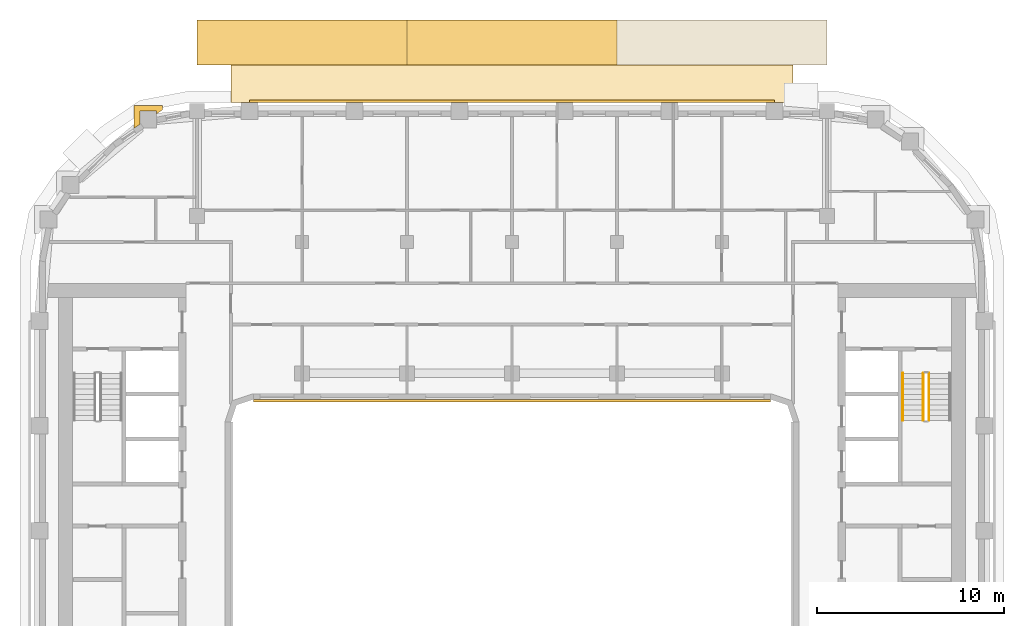
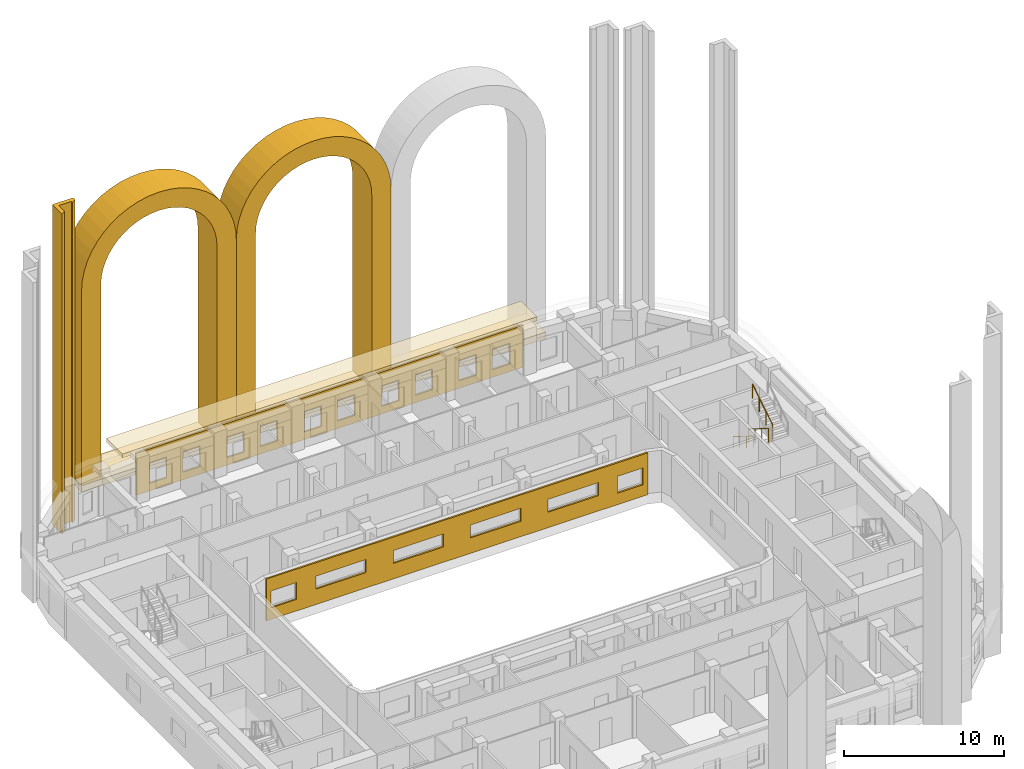
# One storey, part 19 of 20: 7 coverings, 3 railings.
"""IFC4 building model written with IfcOpenShell, lengths in metres."""

from ifc_helpers import new_model, si_unit, direction, frame, origin, origin_2d, place, context, subcontext, project, spatial, polyline, circle, outline, extrude, material, layer, layer_set, type_object, element, save


model = new_model("IFC4")

# Units and contexts
model_context = context("Model", 3, precision=1e-05, world=origin(), true_north=direction((0.0, 1.0)))
body_context = subcontext(model_context, "Body", "Model", "MODEL_VIEW")
ifc_project = project(units=[si_unit("LENGTHUNIT", "METRE"), si_unit("AREAUNIT", "SQUARE_METRE"), si_unit("VOLUMEUNIT", "CUBIC_METRE"), si_unit("PLANEANGLEUNIT", "RADIAN"), si_unit("MASSUNIT", "GRAM", prefix="KILO")], contexts=[model_context])

# Site, building, storey
site_placement = place(None, origin())
site = spatial("IfcSite", under=ifc_project, at=site_placement, CompositionType="ELEMENT")
building_placement = place(site_placement, origin())
building = spatial("IfcBuilding", under=site, at=building_placement, Name="Kiln Ring Residences", CompositionType="ELEMENT")
storey_placement = place(building_placement, frame((0.0, 0.0, 188.89990234375)))
storey = spatial("IfcBuildingStorey", under=building, at=storey_placement, Name="L48", CompositionType="ELEMENT", Elevation=188.89990234375)

# Coverings
ifc_material_1 = material(Name="Brick masonry, dark clay brick", Category="masonry")
ifc_layer_1 = layer(ifc_material_1, 0.5)
ifc_layer_set_1 = layer_set([ifc_layer_1], Name="ARCADE PLINTH 500")
covering_type_1 = type_object("IfcCoveringType", Name="ARCADE PLINTH 500", PredefinedType="CLADDING", material=ifc_layer_set_1)
placement = place(storey_placement, origin())
element("IfcCovering", 1, at=placement, inside=storey, type_object=covering_type_1, Name="ARCADE PLINTH Z4 N", PredefinedType="CLADDING", context=body_context, shape_type="SweptSolid", body=[
    extrude(outline(polyline([(-16.800048828125, 24.85009765625), (16.800048828125, 24.85009765625), (16.800048828125, 27.25), (-16.800048828125, 27.25), (-16.800048828125, 24.85009765625)])), origin(), (0.0, 0.0, 1.0), 0.5),
])
ifc_material_2 = material(Name="Brick masonry, dark clay brick", Category="masonry")
ifc_layer_2 = layer(ifc_material_2, 1.39990234375)
ifc_layer_set_2 = layer_set([ifc_layer_2], Name="ARCH SURROUND 2400")
covering_type_2 = type_object("IfcCoveringType", Name="ARCH SURROUND 2400", PredefinedType="CLADDING", material=ifc_layer_set_2)
covering_2_placement = place(storey_placement, frame((-16.800048828125, 26.050048828125, 0.5), z_axis=(0.0, 0.0, 1.0), x_axis=(1.0, 0.0, 0.0)))
element("IfcCovering", 2, at=covering_2_placement, inside=storey, type_object=covering_type_2, Name="ARCH SURROUND Z4 N1.1", PredefinedType="CLADDING", context=body_context, shape_type="SweptSolid", body=[
    extrude(outline(polyline([(0.0, 0.0), (0.0, 14.900146484375), (0.0478515625, 15.631103515625), (0.19091796875, 16.349609375), (0.42626953125, 17.043212890625), (0.750244140625, 17.7001953125), (1.1572265625, 18.30908203125), (1.64013671875, 18.85986328125), (2.19091796875, 19.343017578125), (2.800048828125, 19.749755859375), (3.45703125, 20.07373046875), (4.150634765625, 20.309326171875), (4.869140625, 20.4521484375), (5.60009765625, 20.5), (6.330810546875, 20.4521484375), (7.04931640625, 20.309326171875), (7.742919921875, 20.07373046875), (8.39990234375, 19.749755859375), (9.009033203125, 19.343017578125), (9.559814453125, 18.85986328125), (10.042724609375, 18.30908203125), (10.44970703125, 17.7001953125), (10.773681640625, 17.043212890625), (11.00927734375, 16.349609375), (11.152099609375, 15.631103515625), (11.199951171875, 14.900146484375), (11.199951171875, 0.0), (9.800048828125, 0.0), (9.800048828125, 14.900146484375), (9.76416015625, 15.4482421875), (9.656982421875, 15.987060546875), (9.480224609375, 16.50732421875), (9.2373046875, 17.0), (8.93212890625, 17.456787109375), (8.56982421875, 17.869873046875), (8.15673828125, 18.232177734375), (7.699951171875, 18.537353515625), (7.207275390625, 18.780517578125), (6.68701171875, 18.95703125), (6.148193359375, 19.064208984375), (5.60009765625, 19.10009765625), (5.0517578125, 19.064208984375), (4.512939453125, 18.95703125), (3.99267578125, 18.780517578125), (3.5, 18.537353515625), (3.043212890625, 18.232177734375), (2.630126953125, 17.869873046875), (2.267822265625, 17.456787109375), (1.962646484375, 17.0), (1.7197265625, 16.50732421875), (1.543212890625, 15.987060546875), (1.435791015625, 15.4482421875), (1.39990234375, 14.900146484375), (1.39990234375, 0.0), (0.0, 0.0)])), frame((0.0, 1.199951171875, 0.0), z_axis=(0.0, -1.0, 0.0), x_axis=(1.0, 0.0, 0.0)), (0.0, 0.0, 1.0), 2.39990234375),
])
covering_3_placement = place(storey_placement, frame((-5.60009765625, 26.050048828125, 0.5), z_axis=(0.0, 0.0, 1.0), x_axis=(1.0, 0.0, 0.0)))
element("IfcCovering", 3, at=covering_3_placement, inside=storey, type_object=covering_type_2, Name="ARCH SURROUND Z4 N1.2", PredefinedType="CLADDING", context=body_context, shape_type="SweptSolid", body=[
    extrude(outline(polyline([(0.0, 0.0), (0.0, 14.900146484375), (0.0478515625, 15.631103515625), (0.19091796875, 16.349609375), (0.42626953125, 17.043212890625), (0.750244140625, 17.7001953125), (1.1572265625, 18.30908203125), (1.64013671875, 18.85986328125), (2.19091796875, 19.343017578125), (2.800048828125, 19.749755859375), (3.45703125, 20.07373046875), (4.150634765625, 20.309326171875), (4.869140625, 20.4521484375), (5.60009765625, 20.5), (6.330810546875, 20.4521484375), (7.04931640625, 20.309326171875), (7.742919921875, 20.07373046875), (8.39990234375, 19.749755859375), (9.009033203125, 19.343017578125), (9.559814453125, 18.85986328125), (10.042724609375, 18.30908203125), (10.44970703125, 17.7001953125), (10.773681640625, 17.043212890625), (11.00927734375, 16.349609375), (11.152099609375, 15.631103515625), (11.199951171875, 14.900146484375), (11.199951171875, 0.0), (9.800048828125, 0.0), (9.800048828125, 14.900146484375), (9.76416015625, 15.4482421875), (9.656982421875, 15.987060546875), (9.480224609375, 16.50732421875), (9.2373046875, 17.0), (8.93212890625, 17.456787109375), (8.56982421875, 17.869873046875), (8.15673828125, 18.232177734375), (7.699951171875, 18.537353515625), (7.207275390625, 18.780517578125), (6.68701171875, 18.95703125), (6.148193359375, 19.064208984375), (5.60009765625, 19.10009765625), (5.0517578125, 19.064208984375), (4.512939453125, 18.95703125), (3.99267578125, 18.780517578125), (3.5, 18.537353515625), (3.043212890625, 18.232177734375), (2.630126953125, 17.869873046875), (2.267822265625, 17.456787109375), (1.962646484375, 17.0), (1.7197265625, 16.50732421875), (1.543212890625, 15.987060546875), (1.435791015625, 15.4482421875), (1.39990234375, 14.900146484375), (1.39990234375, 0.0), (0.0, 0.0)])), frame((0.0, 1.199951171875, 0.0), z_axis=(0.0, -1.0, 0.0), x_axis=(1.0, 0.0, 0.0)), (0.0, 0.0, 1.0), 2.39990234375),
])

# Railings
ifc_material_3 = material(Name="Stainless steel", Category="steel")
railing_type_1 = type_object("IfcRailingType", Name="CORE-STAIR-GUARD", PredefinedType="GUARDRAIL", material=ifc_material_3)
railing_1_placement = place(storey_placement, frame((21.949951171875, 8.39990234375, 0.175048828125)))
element("IfcRailing", 4, at=railing_1_placement, inside=storey, type_object=railing_type_1, Name="L48 E-STN stair guard 1", PredefinedType="GUARDRAIL", context=body_context, shape_type="SweptSolid", body=[
    extrude(circle(Radius=0.02392578125, at=origin_2d()), frame((0.0, 0.0, 1.076171875), z_axis=(0.0, -0.848007534815, 0.529984170421), x_axis=(1.0, 0.0, 0.0)), (0.0, 0.0, 1.0), 2.9716796875),
    extrude(circle(Radius=0.02099609375, at=origin_2d()), origin(), (0.0, 0.0, 1.0), 1.052001953125),
    extrude(circle(Radius=0.02099609375, at=origin_2d()), frame((0.0, -0.840087890625, 0.52490234375)), (0.0, 0.0, 1.0), 1.052001953125),
    extrude(circle(Radius=0.02099609375, at=origin_2d()), frame((0.0, -1.679931640625, 1.050048828125)), (0.0, 0.0, 1.0), 1.052001953125),
    extrude(circle(Radius=0.02099609375, at=origin_2d()), frame((0.0, -2.52001953125, 1.574951171875)), (0.0, 0.0, 1.0), 1.052001953125),
])
railing_2_placement = place(storey_placement, frame((22.25, 5.8798828125, 1.925048828125)))
element("IfcRailing", 5, at=railing_2_placement, inside=storey, type_object=railing_type_1, Name="L48 E-STN stair guard 3", PredefinedType="GUARDRAIL", context=body_context, shape_type="SweptSolid", body=[
    extrude(circle(Radius=0.02392578125, at=origin_2d()), frame((0.0, 0.0, 1.076171875), z_axis=(0.0, 0.848007534815, 0.529984170421), x_axis=(-1.0, 0.0, 0.0)), (0.0, 0.0, 1.0), 2.9716796875),
    extrude(circle(Radius=0.02099609375, at=origin_2d()), origin(), (0.0, 0.0, 1.0), 1.052001953125),
    extrude(circle(Radius=0.02099609375, at=origin_2d()), frame((0.0, 0.840087890625, 0.52490234375)), (0.0, 0.0, 1.0), 1.052001953125),
    extrude(circle(Radius=0.02099609375, at=origin_2d()), frame((0.0, 1.679931640625, 1.050048828125)), (0.0, 0.0, 1.0), 1.052001953125),
    extrude(circle(Radius=0.02099609375, at=origin_2d()), frame((0.0, 2.52001953125, 1.574951171875)), (0.0, 0.0, 1.0), 1.052001953125),
])
ifc_material_4 = material(Name="Stainless steel", Category="steel")
railing_type_2 = type_object("IfcRailingType", Name="CORE-STAIR-HANDRAIL", PredefinedType="HANDRAIL", material=ifc_material_4)
railing_3_placement = place(storey_placement, frame((20.85009765625, 8.39990234375, 0.175048828125)))
element("IfcRailing", 6, at=railing_3_placement, inside=storey, type_object=railing_type_2, Name="L48 E-STN stair handrail 1", PredefinedType="HANDRAIL", context=body_context, shape_type="SweptSolid", body=[
    extrude(circle(Radius=0.02392578125, at=origin_2d()), frame((0.0, 0.0, 0.8759765625), z_axis=(0.0, -0.848007534815, 0.529984170421), x_axis=(1.0, 0.0, 0.0)), (0.0, 0.0, 1.0), 2.9716796875),
    extrude(circle(Radius=0.02099609375, at=origin_2d()), origin(), (0.0, 0.0, 1.0), 0.851806640625),
    extrude(circle(Radius=0.02099609375, at=origin_2d()), frame((0.0, -0.840087890625, 0.52490234375)), (0.0, 0.0, 1.0), 0.851806640625),
    extrude(circle(Radius=0.02099609375, at=origin_2d()), frame((0.0, -1.679931640625, 1.050048828125)), (0.0, 0.0, 1.0), 0.851806640625),
    extrude(circle(Radius=0.02099609375, at=origin_2d()), frame((0.0, -2.52001953125, 1.574951171875)), (0.0, 0.0, 1.0), 0.851806640625),
])

# Coverings
ifc_material_5 = material(Name="Brick masonry, dark clay brick", Category="masonry")
ifc_layer_3 = layer(ifc_material_5, 0.300048828125)
ifc_layer_set_3 = layer_set([ifc_layer_3], Name="PIER CLADDING 300")
covering_type_3 = type_object("IfcCoveringType", Name="PIER CLADDING 300", PredefinedType="CLADDING", material=ifc_layer_set_3)
element("IfcCovering", 7, at=placement, inside=storey, type_object=covering_type_3, Name="PIER CLADDING L48-L54", PredefinedType="CLADDING", context=body_context, shape_type="SweptSolid", body=[
    extrude(outline(polyline([(-18.65869140625, 22.68798828125), (-20.15869140625, 22.68798828125), (-20.15869140625, 21.4765625), (-19.858642578125, 21.680419921875), (-19.858642578125, 22.38818359375), (-18.958740234375, 22.38818359375), (-18.958740234375, 22.243896484375), (-18.65869140625, 22.44775390625), (-18.65869140625, 22.68798828125)])), origin(), (0.0, 0.0, 1.0), 24.5),
])
ifc_material_6 = material(Name="Brick masonry, dark clay brick", Category="masonry")
ifc_layer_4 = layer(ifc_material_6, 0.1201171875)
ifc_layer_set_4 = layer_set([ifc_layer_4], Name="RAINSCREEN PANEL 120")
covering_type_4 = type_object("IfcCoveringType", Name="RAINSCREEN PANEL 120", PredefinedType="CLADDING", material=ifc_layer_set_4)
covering_5_placement = place(storey_placement, frame((14.0, 22.909912109375, 0.0), z_axis=(0.0, 0.0, 1.0), x_axis=(-1.0, 0.0, 0.0)))
element("IfcCovering", 8, at=covering_5_placement, inside=storey, type_object=covering_type_4, Name="RAINSCREEN L48", PredefinedType="CLADDING", context=body_context, shape_type="SweptSolid", body=[
    extrude(outline(polyline([(0.0, 0.0), (28.0, 0.0), (28.0, 3.2001953125), (0.0, 3.2001953125), (0.0, 0.0)]), holes=[polyline([(0.967529296875, 0.580078125), (2.20751953125, 0.580078125), (2.20751953125, 2.170166015625), (0.967529296875, 2.170166015625), (0.967529296875, 0.580078125)]), polyline([(3.392578125, 0.580078125), (4.632568359375, 0.580078125), (4.632568359375, 2.170166015625), (3.392578125, 2.170166015625), (3.392578125, 0.580078125)]), polyline([(6.5673828125, 0.580078125), (7.8076171875, 0.580078125), (7.8076171875, 2.170166015625), (6.5673828125, 2.170166015625), (6.5673828125, 0.580078125)]), polyline([(8.992431640625, 2.170166015625), (8.992431640625, 0.580078125), (10.232421875, 0.580078125), (10.232421875, 2.170166015625), (8.992431640625, 2.170166015625)]), polyline([(12.179931640625, 2.170166015625), (12.179931640625, 0.580078125), (13.419921875, 0.580078125), (13.419921875, 2.170166015625), (12.179931640625, 2.170166015625)]), polyline([(14.592529296875, 0.580078125), (15.83251953125, 0.580078125), (15.83251953125, 2.170166015625), (14.592529296875, 2.170166015625), (14.592529296875, 0.580078125)]), polyline([(17.767578125, 0.580078125), (19.007568359375, 0.580078125), (19.007568359375, 2.170166015625), (17.767578125, 2.170166015625), (17.767578125, 0.580078125)]), polyline([(20.1923828125, 0.580078125), (21.4326171875, 0.580078125), (21.4326171875, 2.170166015625), (20.1923828125, 2.170166015625), (20.1923828125, 0.580078125)]), polyline([(23.367431640625, 2.170166015625), (23.367431640625, 0.580078125), (24.607421875, 0.580078125), (24.607421875, 2.170166015625), (23.367431640625, 2.170166015625)]), polyline([(25.79248046875, 2.170166015625), (25.79248046875, 0.580078125), (27.032470703125, 0.580078125), (27.032470703125, 2.170166015625), (25.79248046875, 2.170166015625)])]), frame((0.0, 0.06005859375, 0.0), z_axis=(0.0, -1.0, 0.0), x_axis=(1.0, 0.0, 0.0)), (0.0, 0.0, 1.0), 0.1201171875),
])
covering_6_placement = place(storey_placement, frame((-13.800048828125, 6.93994140625, 0.0), z_axis=(0.0, 0.0, 1.0), x_axis=(1.0, 0.0, 0.0)))
element("IfcCovering", 9, at=covering_6_placement, inside=storey, type_object=covering_type_4, Name="RAINSCREEN L48", PredefinedType="CLADDING", context=body_context, shape_type="SweptSolid", body=[
    extrude(outline(polyline([(0.0, 0.0), (27.60009765625, 0.0), (27.60009765625, 3.2001953125), (0.0, 3.2001953125), (0.0, 0.0)]), holes=[polyline([(2.1826171875, 0.880126953125), (2.1826171875, 2.170166015625), (0.342529296875, 2.170166015625), (0.342529296875, 0.880126953125), (2.1826171875, 0.880126953125)]), polyline([(25.41748046875, 0.880126953125), (27.257568359375, 0.880126953125), (27.257568359375, 2.170166015625), (25.41748046875, 2.170166015625), (25.41748046875, 0.880126953125)]), polyline([(3.580078125, 1.18017578125), (7.219970703125, 1.18017578125), (7.219970703125, 2.170166015625), (3.580078125, 2.170166015625), (3.580078125, 1.18017578125)]), polyline([(12.820068359375, 1.18017578125), (12.820068359375, 2.170166015625), (9.179931640625, 2.170166015625), (9.179931640625, 1.18017578125), (12.820068359375, 1.18017578125)]), polyline([(14.780029296875, 1.18017578125), (18.419921875, 1.18017578125), (18.419921875, 2.170166015625), (14.780029296875, 2.170166015625), (14.780029296875, 1.18017578125)]), polyline([(20.3798828125, 1.18017578125), (24.02001953125, 1.18017578125), (24.02001953125, 2.170166015625), (20.3798828125, 2.170166015625), (20.3798828125, 1.18017578125)])]), frame((0.0, 0.06005859375, 0.0), z_axis=(0.0, -1.0, 0.0), x_axis=(1.0, 0.0, 0.0)), (0.0, 0.0, 1.0), 0.1201171875),
])
ifc_material_7 = material(Name="Black powder-coated steel", Category="steel")
ifc_layer_5 = layer(ifc_material_7, 0.300048828125)
ifc_layer_set_5 = layer_set([ifc_layer_5], Name="SUNSHADE BAND 2000")
covering_type_5 = type_object("IfcCoveringType", Name="SUNSHADE BAND 2000", PredefinedType="CLADDING", material=ifc_layer_set_5)
covering_7_placement = place(storey_placement, frame((0.0, 0.0, 3.2001953125)))
element("IfcCovering", 10, at=covering_7_placement, inside=storey, type_object=covering_type_5, Name="SUNSHADE BAND L48", PredefinedType="CLADDING", context=body_context, shape_type="SweptSolid", body=[
    extrude(outline(polyline([(15.0, 24.85009765625), (-15.0, 24.85009765625), (-15.0, 22.85009765625), (15.0, 22.85009765625), (15.0, 24.85009765625)])), origin(), (0.0, 0.0, 1.0), 0.2998046875),
])

save(model, "model.ifc")
